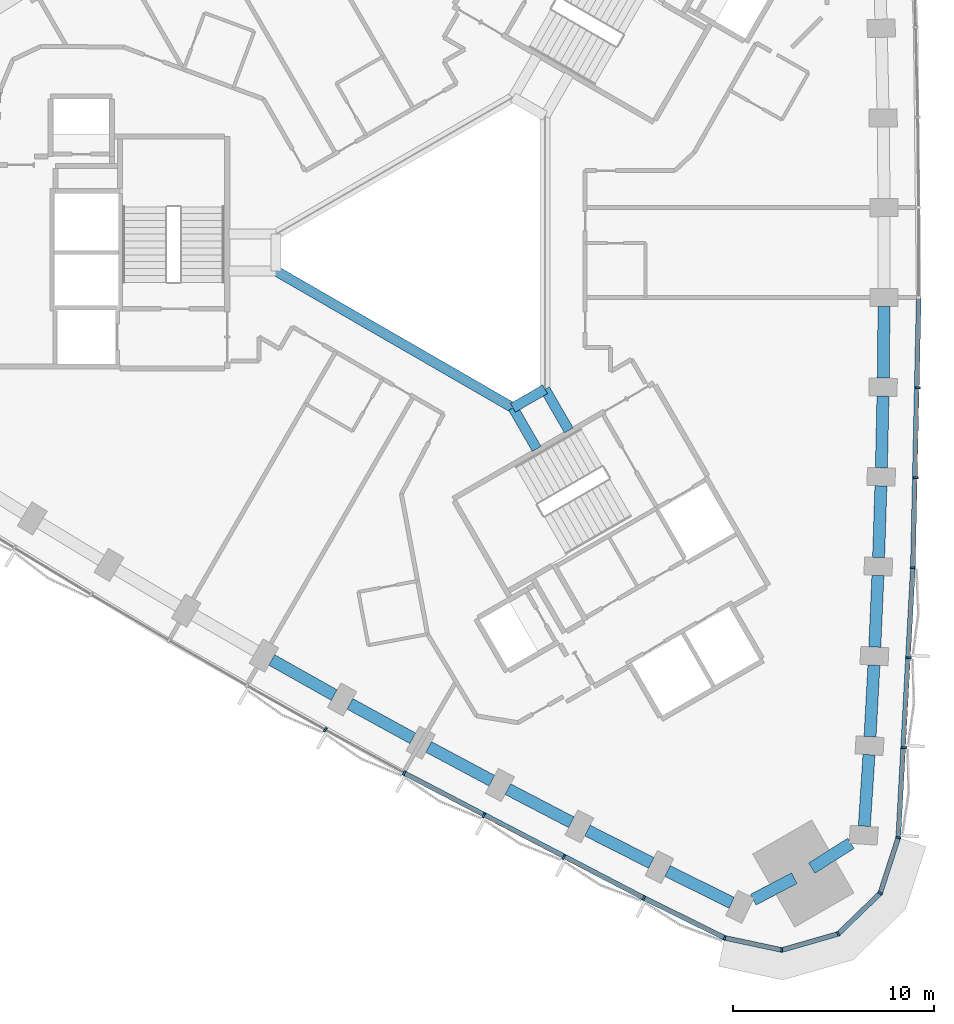
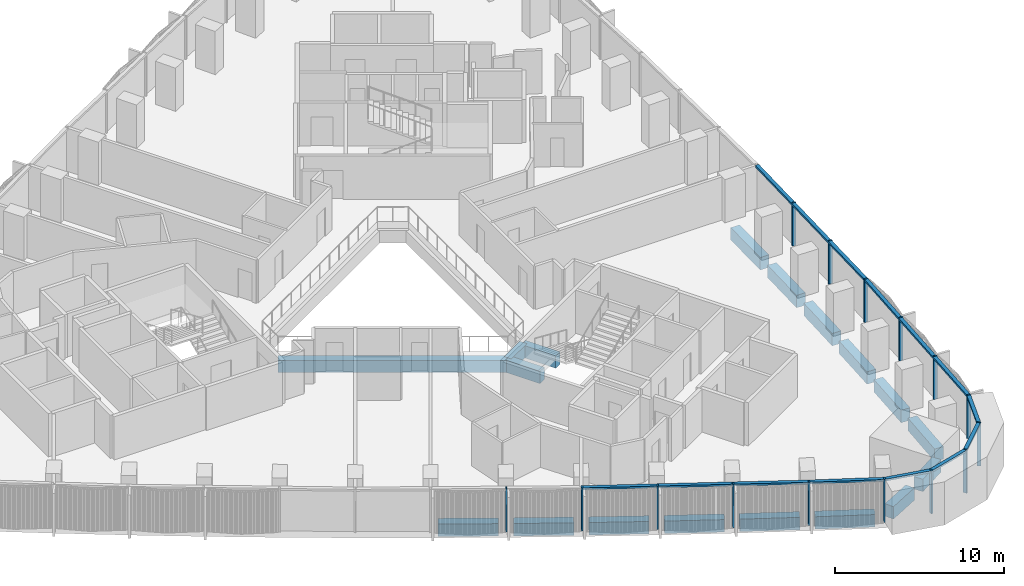
# One storey, part 3 of 15: 23 members, 18 beams, 2 elements without a shape of their own.
"""IFC4 building model written with IfcOpenShell, lengths in metres."""

from ifc_helpers import new_model, si_unit, direction, frame, origin, origin_2d, place, context, subcontext, project, spatial, rectangle, extrude, material, material_profile, profile_set, type_object, element, aggregate, save


model = new_model("IFC4")

# Units and contexts
model_context = context("Model", 3, precision=1e-05, world=origin(), true_north=direction((0.0, 1.0)))
body_context = subcontext(model_context, "Body", "Model", "MODEL_VIEW")
ifc_project = project(units=[si_unit("LENGTHUNIT", "METRE"), si_unit("AREAUNIT", "SQUARE_METRE"), si_unit("VOLUMEUNIT", "CUBIC_METRE"), si_unit("PLANEANGLEUNIT", "RADIAN"), si_unit("MASSUNIT", "GRAM", prefix="KILO")], contexts=[model_context])

# Site, building, storey
site_placement = place(None, origin())
site = spatial("IfcSite", under=ifc_project, at=site_placement, CompositionType="ELEMENT")
building_placement = place(site_placement, origin())
building = spatial("IfcBuilding", under=site, at=building_placement, Name="Tamra Quay Hotel Tower", CompositionType="ELEMENT")
storey_placement = place(building_placement, frame((0.0, 0.0, 42.199951171875)))
storey = spatial("IfcBuildingStorey", under=building, at=storey_placement, Name="L08", CompositionType="ELEMENT", Elevation=42.199951171875)

# Beams
ifc_material_1 = material(Name="Concrete M60", Category="concrete")
ifc_material_profile_1 = material_profile(ifc_material_1, rectangle(XDim=0.5, YDim=0.89990234375, at=origin_2d()), Name="ATRIUM EDGE BEAM RC 500x900")
ifc_profile_set_1 = profile_set([ifc_material_profile_1], Name="Concrete M60")
beam_type_1 = type_object("IfcBeamType", Name="ATRIUM EDGE BEAM RC 500x900", PredefinedType="BEAM", material=ifc_profile_set_1)
beam_1_placement = place(storey_placement, frame((5.0, -6.812744140625, -0.925048828125), z_axis=(-0.86602275259, -0.500004591975, 0.0), x_axis=(0.500004591975, -0.86602275259, 0.0)))
element("IfcBeam", 1, at=beam_1_placement, inside=storey, type_object=beam_type_1, Name="BM-AB1-L08", PredefinedType="BEAM", context=body_context, shape_type="SweptSolid", body=[
    extrude(rectangle(XDim=0.5, YDim=0.89990234375, at=origin_2d()), origin(), (0.0, 0.0, 1.0), 1.84765625),
])
beam_2_placement = place(storey_placement, frame((3.39990234375, -7.736572265625, -0.925048828125), z_axis=(-0.866021471679, 0.500006810544, 0.0), x_axis=(-0.500006810544, -0.866021471679, 0.0)))
element("IfcBeam", 2, at=beam_2_placement, inside=storey, type_object=beam_type_1, Name="BM-AB2-L08", PredefinedType="BEAM", context=body_context, shape_type="SweptSolid", body=[
    extrude(rectangle(XDim=0.5, YDim=0.89990234375, at=origin_2d()), origin(), (0.0, 0.0, 1.0), 13.625244140625),
])
ifc_material_profile_2 = material_profile(ifc_material_1, rectangle(XDim=0.5, YDim=0.89990234375, at=origin_2d()), Name="ATRIUM TIE BEAM RC 500x900")
ifc_profile_set_2 = profile_set([ifc_material_profile_2], Name="Concrete M60")
beam_type_2 = type_object("IfcBeamType", Name="ATRIUM TIE BEAM RC 500x900", PredefinedType="BEAM", material=ifc_profile_set_2)
for number, where, z_axis, x_axis, name in (
    (3, (5.0, -6.812744140625, -0.925048828125), (0.500029618126, -0.866008303076, 0.0), (0.866008303076, 0.500029618126, 0.0), "BM-TIE-1-L08"),
    (4, (3.39990234375, -7.736572265625, -0.925048828125), (0.500029618126, -0.866008303076, 0.0), (0.866008303076, 0.500029618126, 0.0), "BM-TIE-2-L08"),
):
    element("IfcBeam", number, at=place(storey_placement, frame(where, z_axis=z_axis, x_axis=x_axis)), inside=storey, type_object=beam_type_2, Name=name, PredefinedType="BEAM", context=body_context, shape_type="SweptSolid", body=[
        extrude(rectangle(XDim=0.5, YDim=0.89990234375, at=origin_2d()), origin(), (0.0, 0.0, 1.0), 2.362060546875),
    ])

# Curtain wall, members
ifc_material_2 = material(Name="Aluminium 6063 anodised dark grey", Category="aluminium")
curtain_wall_type_1 = type_object("IfcCurtainWallType", Name="CW1 CURTAIN WALL", PredefinedType="NOTDEFINED", material=ifc_material_2)
curtain_wall_1_placement = place(storey_placement, origin())
curtain_wall_1 = element("IfcCurtainWall", 5, at=curtain_wall_1_placement, inside=storey, type_object=curtain_wall_type_1, Name="CW1 east face L08", PredefinedType="NOTDEFINED")
ifc_material_profile_3 = material_profile(ifc_material_2, rectangle(XDim=0.239990234375, YDim=0.10009765625, at=origin_2d()), Name="MULLION 100X240")
ifc_profile_set_3 = profile_set([ifc_material_profile_3], Name="Aluminium 6063 anodised dark grey")
member_type_1 = type_object("IfcMemberType", Name="MULLION CW1 Z1", PredefinedType="MULLION", material=ifc_profile_set_3)
member_1_placement = place(storey_placement, frame((22.5986328125, -29.154052734375, 0.0), z_axis=(0.0, 0.0, 1.0), x_axis=(0.982094520957, -0.188388831692, 0.0)))
member_1 = element("IfcMember", 6, at=member_1_placement, type_object=member_type_1, Name="CW1 mullion L08.E.1", PredefinedType="MULLION", context=body_context, shape_type="SweptSolid", body=[
    extrude(rectangle(XDim=0.239990234375, YDim=0.10009765625, at=origin_2d()), origin(), (0.0, 0.0, 1.0), 3.125),
])
member_2_placement = place(storey_placement, frame((22.8896484375, -24.67529296875, 0.0), z_axis=(0.0, 0.0, 1.0), x_axis=(0.998231966976, -0.05943854058, 0.0)))
member_2 = element("IfcMember", 7, at=member_2_placement, type_object=member_type_1, Name="CW1 mullion L08.E.2", PredefinedType="MULLION", context=body_context, shape_type="SweptSolid", body=[
    extrude(rectangle(XDim=0.239990234375, YDim=0.10009765625, at=origin_2d()), origin(), (0.0, 0.0, 1.0), 3.125),
])
member_3_placement = place(storey_placement, frame((23.13232421875, -20.1923828125, 0.0), z_axis=(0.0, 0.0, 1.0), x_axis=(0.998814683341, -0.048674719753, 0.0)))
member_3 = element("IfcMember", 8, at=member_3_placement, type_object=member_type_1, Name="CW1 mullion L08.E.3", PredefinedType="MULLION", context=body_context, shape_type="SweptSolid", body=[
    extrude(rectangle(XDim=0.239990234375, YDim=0.10009765625, at=origin_2d()), origin(), (0.0, 0.0, 1.0), 3.125),
])
member_4_placement = place(storey_placement, frame((23.32666015625, -15.707763671875, 0.0), z_axis=(0.0, 0.0, 1.0), x_axis=(0.999282264248, -0.037880817816, 0.0)))
member_4 = element("IfcMember", 9, at=member_4_placement, type_object=member_type_1, Name="CW1 mullion L08.E.4", PredefinedType="MULLION", context=body_context, shape_type="SweptSolid", body=[
    extrude(rectangle(XDim=0.239990234375, YDim=0.10009765625, at=origin_2d()), origin(), (0.0, 0.0, 1.0), 3.125),
])
member_5_placement = place(storey_placement, frame((23.472412109375, -11.221435546875, 0.0), z_axis=(0.0, 0.0, 1.0), x_axis=(0.999633633589, -0.027066558645, 0.0)))
member_5 = element("IfcMember", 10, at=member_5_placement, type_object=member_type_1, Name="CW1 mullion L08.E.5", PredefinedType="MULLION", context=body_context, shape_type="SweptSolid", body=[
    extrude(rectangle(XDim=0.239990234375, YDim=0.10009765625, at=origin_2d()), origin(), (0.0, 0.0, 1.0), 3.125),
])
member_6_placement = place(storey_placement, frame((23.569580078125, -6.73291015625, 0.0), z_axis=(0.0, 0.0, 1.0), x_axis=(0.999868004854, -0.016247241904, 0.0)))
member_6 = element("IfcMember", 11, at=member_6_placement, type_object=member_type_1, Name="CW1 mullion L08.E.6", PredefinedType="MULLION", context=body_context, shape_type="SweptSolid", body=[
    extrude(rectangle(XDim=0.239990234375, YDim=0.10009765625, at=origin_2d()), origin(), (0.0, 0.0, 1.0), 3.125),
])

curtain_wall_type_2 = type_object("IfcCurtainWallType", Name="CW3 CURTAIN WALL", PredefinedType="NOTDEFINED", material=ifc_material_2)
curtain_wall_2_placement = place(storey_placement, origin())
curtain_wall_2 = element("IfcCurtainWall", 12, at=curtain_wall_2_placement, inside=storey, type_object=curtain_wall_type_2, Name="CW3 south-west face L08", PredefinedType="NOTDEFINED")
ifc_material_profile_4 = material_profile(ifc_material_2, rectangle(XDim=0.239990234375, YDim=0.10009765625, at=origin_2d()), Name="MULLION 100X240")
ifc_profile_set_4 = profile_set([ifc_material_profile_4], Name="Aluminium 6063 anodised dark grey")
member_type_2 = type_object("IfcMemberType", Name="MULLION CW3 Z1", PredefinedType="MULLION", material=ifc_profile_set_4)
member_7_placement = place(storey_placement, frame((-5.9541015625, -23.7783203125, 0.0), z_axis=(0.0, 0.0, 1.0), x_axis=(-0.485863478197, -0.874034713587, 0.0)))
member_7 = element("IfcMember", 13, at=member_7_placement, type_object=member_type_2, Name="CW3 mullion L08.SW.9", PredefinedType="MULLION", context=body_context, shape_type="SweptSolid", body=[
    extrude(rectangle(XDim=0.239990234375, YDim=0.10009765625, at=origin_2d()), origin(), (0.0, 0.0, 1.0), 3.125),
])
member_8_placement = place(storey_placement, frame((-2.01806640625, -25.9384765625, 0.0), z_axis=(0.0, 0.0, 1.0), x_axis=(-0.476376489415, -0.879241400488, 0.0)))
member_8 = element("IfcMember", 14, at=member_8_placement, type_object=member_type_2, Name="CW3 mullion L08.SW.10", PredefinedType="MULLION", context=body_context, shape_type="SweptSolid", body=[
    extrude(rectangle(XDim=0.239990234375, YDim=0.10009765625, at=origin_2d()), origin(), (0.0, 0.0, 1.0), 3.125),
])
member_9_placement = place(storey_placement, frame((1.93994140625, -28.055419921875, 0.0), z_axis=(0.0, 0.0, 1.0), x_axis=(-0.46683538158, -0.884344235298, 0.0)))
member_9 = element("IfcMember", 15, at=member_9_placement, type_object=member_type_2, Name="CW3 mullion L08.SW.11", PredefinedType="MULLION", context=body_context, shape_type="SweptSolid", body=[
    extrude(rectangle(XDim=0.239990234375, YDim=0.10009765625, at=origin_2d()), origin(), (0.0, 0.0, 1.0), 3.125),
])
member_10_placement = place(storey_placement, frame((5.9208984375, -30.12939453125, 0.0), z_axis=(0.0, 0.0, 1.0), x_axis=(-0.457253797843, -0.889336249322, 0.0)))
member_10 = element("IfcMember", 16, at=member_10_placement, type_object=member_type_2, Name="CW3 mullion L08.SW.12", PredefinedType="MULLION", context=body_context, shape_type="SweptSolid", body=[
    extrude(rectangle(XDim=0.239990234375, YDim=0.10009765625, at=origin_2d()), origin(), (0.0, 0.0, 1.0), 3.125),
])
member_11_placement = place(storey_placement, frame((9.924560546875, -32.16064453125, 0.0), z_axis=(0.0, 0.0, 1.0), x_axis=(-0.447640697382, -0.894213512561, 0.0)))
member_11 = element("IfcMember", 17, at=member_11_placement, type_object=member_type_2, Name="CW3 mullion L08.SW.13", PredefinedType="MULLION", context=body_context, shape_type="SweptSolid", body=[
    extrude(rectangle(XDim=0.239990234375, YDim=0.10009765625, at=origin_2d()), origin(), (0.0, 0.0, 1.0), 3.125),
])
member_12_placement = place(storey_placement, frame((13.948974609375, -34.148193359375, 0.0), z_axis=(0.0, 0.0, 1.0), x_axis=(-0.327897746444, -0.944713219912, 0.0)))
member_12 = element("IfcMember", 18, at=member_12_placement, type_object=member_type_2, Name="CW3 mullion L08.SW.14", PredefinedType="MULLION", context=body_context, shape_type="SweptSolid", body=[
    extrude(rectangle(XDim=0.239990234375, YDim=0.10009765625, at=origin_2d()), origin(), (0.0, 0.0, 1.0), 3.125),
])
member_13_placement = place(storey_placement, frame((16.7998046875, -34.754150390625, 0.0), z_axis=(0.0, 0.0, 1.0), x_axis=(0.034915999879, -0.999390250579, 0.0)))
member_13 = element("IfcMember", 19, at=member_13_placement, type_object=member_type_2, Name="CW3 mullion L08.SW.15", PredefinedType="MULLION", context=body_context, shape_type="SweptSolid", body=[
    extrude(rectangle(XDim=0.239990234375, YDim=0.10009765625, at=origin_2d()), origin(), (0.0, 0.0, 1.0), 3.125),
])
member_14_placement = place(storey_placement, frame((19.6015625, -33.95068359375, 0.0), z_axis=(0.0, 0.0, 1.0), x_axis=(0.5, -0.866025403784, 0.0)))
member_14 = element("IfcMember", 20, at=member_14_placement, type_object=member_type_2, Name="CW3 mullion L08.SW.16", PredefinedType="MULLION", context=body_context, shape_type="SweptSolid", body=[
    extrude(rectangle(XDim=0.239990234375, YDim=0.10009765625, at=origin_2d()), origin(), (0.0, 0.0, 1.0), 3.125),
])
member_15_placement = place(storey_placement, frame((21.697998046875, -31.926025390625, 0.0), z_axis=(0.0, 0.0, 1.0), x_axis=(0.848039345356, -0.529933268183, 0.0)))
member_15 = element("IfcMember", 21, at=member_15_placement, type_object=member_type_2, Name="CW3 mullion L08.SW.17", PredefinedType="MULLION", context=body_context, shape_type="SweptSolid", body=[
    extrude(rectangle(XDim=0.239990234375, YDim=0.10009765625, at=origin_2d()), origin(), (0.0, 0.0, 1.0), 3.125),
])

# Beams
ifc_material_profile_5 = material_profile(ifc_material_1, rectangle(XDim=0.60009765625, YDim=0.89990234375, at=origin_2d()), Name="SPANDREL BEAM RC 600x900")
ifc_profile_set_5 = profile_set([ifc_material_profile_5], Name="Concrete M60")
beam_type_3 = type_object("IfcBeamType", Name="SPANDREL BEAM RC 600x900", PredefinedType="SPANDREL", material=ifc_profile_set_5)
beam_3_placement = place(storey_placement, frame((20.908203125, -28.584716796875, -0.925048828125), z_axis=(0.064749077985, 0.99790157676, 0.0), x_axis=(-0.99790157676, 0.064749077985, 0.0)))
element("IfcBeam", 22, at=beam_3_placement, inside=storey, type_object=beam_type_3, Name="BM-SP1-000-L08", PredefinedType="SPANDREL", context=body_context, shape_type="SweptSolid", body=[
    extrude(rectangle(XDim=0.60009765625, YDim=0.89990234375, at=origin_2d()), origin(), (0.0, 0.0, 1.0), 3.57080078125),
])
beam_4_placement = place(storey_placement, frame((21.193115234375, -24.123046875, -0.925048828125), z_axis=(0.054026860576, 0.998539482613, 0.0), x_axis=(-0.998539482613, 0.054026860576, 0.0)))
element("IfcBeam", 23, at=beam_4_placement, inside=storey, type_object=beam_type_3, Name="BM-SP1-001-L08", PredefinedType="SPANDREL", context=body_context, shape_type="SweptSolid", body=[
    extrude(rectangle(XDim=0.60009765625, YDim=0.89990234375, at=origin_2d()), origin(), (0.0, 0.0, 1.0), 3.56982421875),
])
for number, where, z_axis, x_axis, name in (
    (24, (21.429931640625, -19.659423828125, -0.925048828125), (0.043282922957, 0.99906285517, 0.0), (-0.99906285517, 0.043282922957, 0.0), "BM-SP1-002-L08"),
    (25, (21.618408203125, -15.19287109375, -0.925048828125), (0.032547568535, 0.999470187541, 0.0), (-0.999470187541, 0.032547568535, 0.0), "BM-SP1-003-L08"),
):
    element("IfcBeam", number, at=place(storey_placement, frame(where, z_axis=z_axis, x_axis=x_axis)), inside=storey, type_object=beam_type_3, Name=name, PredefinedType="SPANDREL", context=body_context, shape_type="SweptSolid", body=[
        extrude(rectangle(XDim=0.60009765625, YDim=0.89990234375, at=origin_2d()), origin(), (0.0, 0.0, 1.0), 3.570556640625),
    ])
beam_5_placement = place(storey_placement, frame((21.7587890625, -10.724609375, -0.925048828125), z_axis=(0.021679013576, 0.999764982569, 0.0), x_axis=(-0.999764982569, 0.021679013576, 0.0)))
element("IfcBeam", 26, at=beam_5_placement, inside=storey, type_object=beam_type_3, Name="BM-SP1-004-L08", PredefinedType="SPANDREL", context=body_context, shape_type="SweptSolid", body=[
    extrude(rectangle(XDim=0.60009765625, YDim=0.89990234375, at=origin_2d()), origin(), (0.0, 0.0, 1.0), 3.56982421875),
])
for number, where, z_axis, x_axis, name in (
    (27, (21.850830078125, -6.255615234375, -0.925048828125), (0.010803527021, 0.999941640199, 0.0), (-0.999941640199, 0.010803527021, 0.0), "BM-SP1-005-L08"),
    (28, (-8.619384765625, -20.299560546875, -0.925048828125), (0.871431243693, -0.49051767299, 0.0), (0.49051767299, 0.871431243693, 0.0), "BM-SP1-037-L08"),
):
    element("IfcBeam", number, at=place(storey_placement, frame(where, z_axis=z_axis, x_axis=x_axis)), inside=storey, type_object=beam_type_3, Name=name, PredefinedType="SPANDREL", context=body_context, shape_type="SweptSolid", body=[
        extrude(rectangle(XDim=0.60009765625, YDim=0.89990234375, at=origin_2d()), origin(), (0.0, 0.0, 1.0), 3.570556640625),
    ])
beam_6_placement = place(storey_placement, frame((-4.72119140625, -22.48828125, -0.925048828125), z_axis=(0.876617015828, -0.481188744216, 0.0), x_axis=(0.481188744216, 0.876617015828, 0.0)))
element("IfcBeam", 29, at=beam_6_placement, inside=storey, type_object=beam_type_3, Name="BM-SP1-038-L08", PredefinedType="SPANDREL", context=body_context, shape_type="SweptSolid", body=[
    extrude(rectangle(XDim=0.60009765625, YDim=0.89990234375, at=origin_2d()), origin(), (0.0, 0.0, 1.0), 3.56982421875),
])
beam_7_placement = place(storey_placement, frame((-0.80029296875, -24.634765625, -0.925048828125), z_axis=(0.881809110934, -0.471606501094, 0.0), x_axis=(0.471606501094, 0.881809110934, 0.0)))
element("IfcBeam", 30, at=beam_7_placement, inside=storey, type_object=beam_type_3, Name="BM-SP1-039-L08", PredefinedType="SPANDREL", context=body_context, shape_type="SweptSolid", body=[
    extrude(rectangle(XDim=0.60009765625, YDim=0.89990234375, at=origin_2d()), origin(), (0.0, 0.0, 1.0), 3.5703125),
])
beam_8_placement = place(storey_placement, frame((3.14404296875, -26.73876953125, -0.925048828125), z_axis=(0.886863886749, -0.462030785101, 0.0), x_axis=(0.462030785101, 0.886863886749, 0.0)))
element("IfcBeam", 31, at=beam_8_placement, inside=storey, type_object=beam_type_3, Name="BM-SP1-040-L08", PredefinedType="SPANDREL", context=body_context, shape_type="SweptSolid", body=[
    extrude(rectangle(XDim=0.60009765625, YDim=0.89990234375, at=origin_2d()), origin(), (0.0, 0.0, 1.0), 3.570556640625),
])
beam_9_placement = place(storey_placement, frame((7.111083984375, -28.800048828125, -0.925048828125), z_axis=(0.891785652583, -0.452458119439, 0.0), x_axis=(0.452458119439, 0.891785652583, 0.0)))
element("IfcBeam", 32, at=beam_9_placement, inside=storey, type_object=beam_type_3, Name="BM-SP1-041-L08", PredefinedType="SPANDREL", context=body_context, shape_type="SweptSolid", body=[
    extrude(rectangle(XDim=0.60009765625, YDim=0.89990234375, at=origin_2d()), origin(), (0.0, 0.0, 1.0), 3.56982421875),
])
beam_10_placement = place(storey_placement, frame((11.099365234375, -30.818115234375, -0.925048828125), z_axis=(0.896604328032, -0.442832563113, 0.0), x_axis=(0.442832563113, 0.896604328032, 0.0)))
element("IfcBeam", 33, at=beam_10_placement, inside=storey, type_object=beam_type_3, Name="BM-SP1-042-L08", PredefinedType="SPANDREL", context=body_context, shape_type="SweptSolid", body=[
    extrude(rectangle(XDim=0.60009765625, YDim=0.89990234375, at=origin_2d()), origin(), (0.0, 0.0, 1.0), 3.57080078125),
])
beam_11_placement = place(storey_placement, frame((15.377197265625, -32.24609375, -0.925048828125), z_axis=(0.885674154565, 0.464307324879, 0.0), x_axis=(-0.464307324879, 0.885674154565, 0.0)))
element("IfcBeam", 34, at=beam_11_placement, inside=storey, type_object=beam_type_3, Name="BM-SP1-043-L08", PredefinedType="SPANDREL", context=body_context, shape_type="SweptSolid", body=[
    extrude(rectangle(XDim=0.60009765625, YDim=0.89990234375, at=origin_2d()), origin(), (0.0, 0.0, 1.0), 2.308349609375),
])
beam_12_placement = place(storey_placement, frame((18.28662109375, -30.6748046875, -0.925048828125), z_axis=(0.844978382684, 0.53480046073, 0.0), x_axis=(-0.53480046073, 0.844978382684, 0.0)))
element("IfcBeam", 35, at=beam_12_placement, inside=storey, type_object=beam_type_3, Name="BM-SP1-044-L08", PredefinedType="SPANDREL", context=body_context, shape_type="SweptSolid", body=[
    extrude(rectangle(XDim=0.60009765625, YDim=0.89990234375, at=origin_2d()), origin(), (0.0, 0.0, 1.0), 2.30859375),
])

# Member
ifc_material_profile_6 = material_profile(ifc_material_2, rectangle(XDim=0.239990234375, YDim=0.139892578125, at=origin_2d()), Name="TRANSOM 240X140")
ifc_profile_set_6 = profile_set([ifc_material_profile_6], Name="Aluminium 6063 anodised dark grey")
member_type_3 = type_object("IfcMemberType", Name="TRANSOM CW1 Z1", PredefinedType="USERDEFINED", material=ifc_profile_set_6)
member_16_placement = place(storey_placement, frame((22.60205078125, -29.104248046875, 3.054931640625), z_axis=(0.054048600578, 0.998538306113, 0.0), x_axis=(-0.998538306113, 0.054048600578, 0.0)))
member_16 = element("IfcMember", 36, at=member_16_placement, type_object=member_type_3, Name="CW1 transom L08.E.1", ObjectType="TRANSOM", PredefinedType="USERDEFINED", context=body_context, shape_type="SweptSolid", body=[
    extrude(rectangle(XDim=0.239990234375, YDim=0.139892578125, at=origin_2d()), origin(), (0.0, 0.0, 1.0), 13.365966796875),
])

member_17_placement = place(storey_placement, frame((23.328369140625, -15.65771484375, 3.054931640625), z_axis=(0.021644299832, 0.999765734702, 0.0), x_axis=(-0.999765734702, 0.021644299832, 0.0)))
member_17 = element("IfcMember", 37, at=member_17_placement, type_object=member_type_3, Name="CW1 transom L08.E.4", ObjectType="TRANSOM", PredefinedType="USERDEFINED", context=body_context, shape_type="SweptSolid", body=[
    extrude(rectangle(XDim=0.239990234375, YDim=0.139892578125, at=origin_2d()), origin(), (0.0, 0.0, 1.0), 13.366455078125),
])

aggregate(curtain_wall_1, [member_1, member_16, member_2, member_3, member_4, member_17, member_5, member_6])

ifc_material_profile_7 = material_profile(ifc_material_2, rectangle(XDim=0.239990234375, YDim=0.139892578125, at=origin_2d()), Name="TRANSOM 240X140")
ifc_profile_set_7 = profile_set([ifc_material_profile_7], Name="Aluminium 6063 anodised dark grey")
member_type_4 = type_object("IfcMemberType", Name="TRANSOM CW3 Z1", PredefinedType="USERDEFINED", material=ifc_profile_set_7)
member_18_placement = place(storey_placement, frame((-1.97412109375, -25.9619140625, 3.054931640625), z_axis=(0.88684719541, -0.462062822562, 0.0), x_axis=(0.462062822562, 0.88684719541, 0.0)))
member_18 = element("IfcMember", 38, at=member_18_placement, type_object=member_type_4, Name="CW3 transom L08.SW.10", ObjectType="TRANSOM", PredefinedType="USERDEFINED", context=body_context, shape_type="SweptSolid", body=[
    extrude(rectangle(XDim=0.239990234375, YDim=0.139892578125, at=origin_2d()), origin(), (0.0, 0.0, 1.0), 13.36669921875),
])

member_19_placement = place(storey_placement, frame((9.969482421875, -32.182861328125, 3.054931640625), z_axis=(0.896619497593, -0.442801847936, 0.0), x_axis=(0.442801847936, 0.896619497593, 0.0)))
member_19 = element("IfcMember", 39, at=member_19_placement, type_object=member_type_4, Name="CW3 transom L08.SW.13", ObjectType="TRANSOM", PredefinedType="USERDEFINED", context=body_context, shape_type="SweptSolid", body=[
    extrude(rectangle(XDim=0.239990234375, YDim=0.139892578125, at=origin_2d()), origin(), (0.0, 0.0, 1.0), 4.38818359375),
])

member_20_placement = place(storey_placement, frame((13.997802734375, -34.15869140625, 3.054931640625), z_axis=(0.97816524345, -0.207828671039, 0.0), x_axis=(0.207828671039, 0.97816524345, 0.0)))
member_20 = element("IfcMember", 40, at=member_20_placement, type_object=member_type_4, Name="CW3 transom L08.SW.14", ObjectType="TRANSOM", PredefinedType="USERDEFINED", context=body_context, shape_type="SweptSolid", body=[
    extrude(rectangle(XDim=0.239990234375, YDim=0.139892578125, at=origin_2d()), origin(), (0.0, 0.0, 1.0), 2.814697265625),
])

member_21_placement = place(storey_placement, frame((16.847900390625, -34.740234375, 3.054931640625), z_axis=(0.961255085045, 0.275660409698, 0.0), x_axis=(-0.275660409698, 0.961255085045, 0.0)))
member_21 = element("IfcMember", 41, at=member_21_placement, type_object=member_type_4, Name="CW3 transom L08.SW.15", ObjectType="TRANSOM", PredefinedType="USERDEFINED", context=body_context, shape_type="SweptSolid", body=[
    extrude(rectangle(XDim=0.239990234375, YDim=0.139892578125, at=origin_2d()), origin(), (0.0, 0.0, 1.0), 2.814697265625),
])

member_22_placement = place(storey_placement, frame((19.637451171875, -33.916015625, 3.054931640625), z_axis=(0.71931626538, 0.694682740796, 0.0), x_axis=(-0.694682740796, 0.71931626538, 0.0)))
member_22 = element("IfcMember", 42, at=member_22_placement, type_object=member_type_4, Name="CW3 transom L08.SW.16", ObjectType="TRANSOM", PredefinedType="USERDEFINED", context=body_context, shape_type="SweptSolid", body=[
    extrude(rectangle(XDim=0.239990234375, YDim=0.139892578125, at=origin_2d()), origin(), (0.0, 0.0, 1.0), 2.814697265625),
])

member_23_placement = place(storey_placement, frame((21.71337890625, -31.87841796875, 3.054931640625), z_axis=(0.309062535631, 0.951041717839, 0.0), x_axis=(-0.951041717839, 0.309062535631, 0.0)))
member_23 = element("IfcMember", 43, at=member_23_placement, type_object=member_type_4, Name="CW3 transom L08.SW.17", ObjectType="TRANSOM", PredefinedType="USERDEFINED", context=body_context, shape_type="SweptSolid", body=[
    extrude(rectangle(XDim=0.239990234375, YDim=0.139892578125, at=origin_2d()), origin(), (0.0, 0.0, 1.0), 2.814453125),
])

aggregate(curtain_wall_2, [member_7, member_8, member_18, member_9, member_10, member_11, member_19, member_12, member_20, member_13, member_21, member_14, member_22, member_15, member_23])

save(model, "model.ifc")
